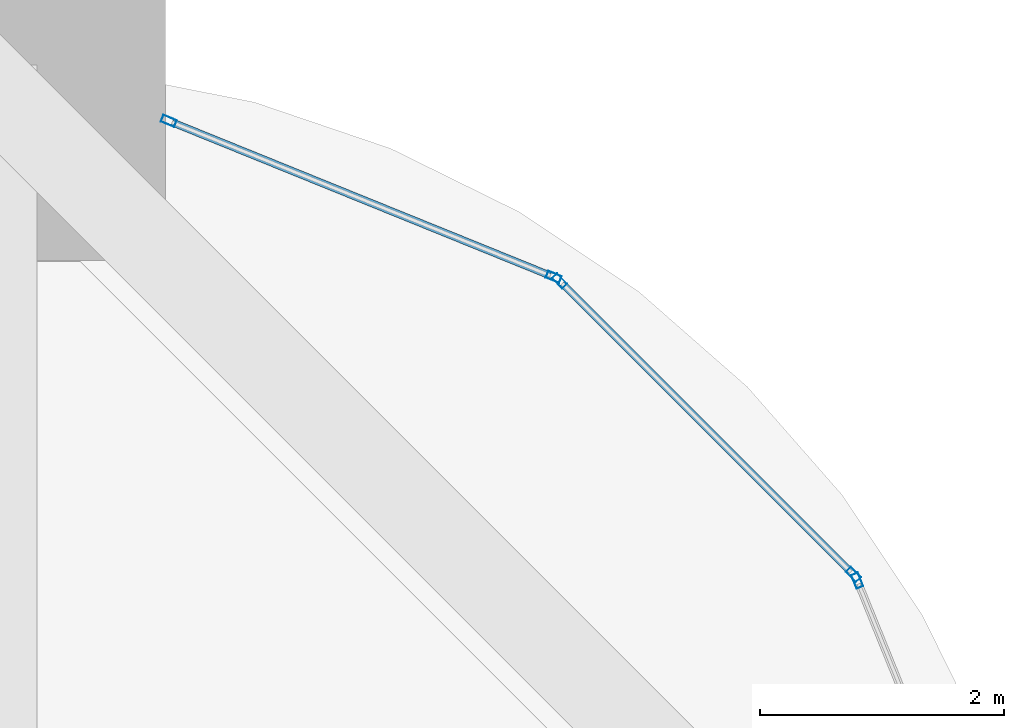
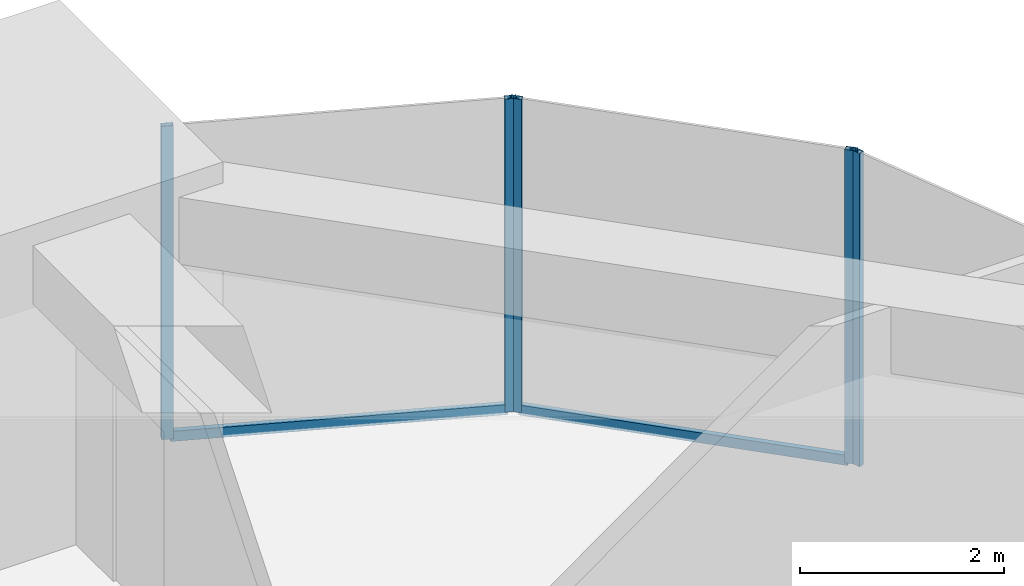
# One storey, part 33 of 40: 7 members, 3 elements without a shape of their own.
"""IFC4 building model written with IfcOpenShell, lengths in metres."""

from ifc_helpers import new_model, si_unit, direction, frame, origin, origin_2d, place, context, subcontext, project, spatial, hollow_rectangle, extrude, material, material_profile, profile_set, type_object, element, aggregate, save


model = new_model("IFC4")

# Units and contexts
model_context = context("Model", 3, precision=1e-05, world=origin(), true_north=direction((0.0, 1.0)))
body_context = subcontext(model_context, "Body", "Model", "MODEL_VIEW")
ifc_project = project(units=[si_unit("LENGTHUNIT", "METRE"), si_unit("AREAUNIT", "SQUARE_METRE"), si_unit("VOLUMEUNIT", "CUBIC_METRE"), si_unit("PLANEANGLEUNIT", "RADIAN"), si_unit("MASSUNIT", "GRAM", prefix="KILO")], contexts=[model_context])

# Site, building, storey
site_placement = place(None, origin())
site = spatial("IfcSite", under=ifc_project, at=site_placement, CompositionType="ELEMENT")
building_placement = place(site_placement, origin())
building = spatial("IfcBuilding", under=site, at=building_placement, Name="Zorevar Civic Tower", CompositionType="ELEMENT")
storey_placement = place(building_placement, frame((0.0, 0.0, 239.39990234375)))
storey = spatial("IfcBuildingStorey", under=building, at=storey_placement, Name="L58", CompositionType="ELEMENT", Elevation=239.39990234375)

# Curtain wall, member
ifc_material_1 = material(Name="Dark grey solar-control glass in black aluminium frame", Category="aluminium")
curtain_wall_type = type_object("IfcCurtainWallType", Name="Curtain wall CW5 top zone", PredefinedType="NOTDEFINED", material=ifc_material_1)
curtain_wall_1_placement = place(storey_placement, origin())
curtain_wall_1 = element("IfcCurtainWall", 1, at=curtain_wall_1_placement, inside=storey, type_object=curtain_wall_type, Name="CW5 L58", PredefinedType="NOTDEFINED")
ifc_material_2 = material(Name="Aluminium, black anodised", Category="aluminium")
ifc_material_profile_1 = material_profile(ifc_material_2, hollow_rectangle(XDim=0.06005859375, YDim=0.1201171875, WallThickness=0.0029296875, at=origin_2d()), Name="AL 120x60x3")
ifc_profile_set_1 = profile_set([ifc_material_profile_1], Name="Aluminium, black anodised")
member_type_1 = type_object("IfcMemberType", Name="CW5 mullion AL 120x60x3", PredefinedType="MULLION", material=ifc_profile_set_1)
member_1_placement = place(storey_placement, frame((52.263427734375, 40.778076171875, 0.0), z_axis=(0.0, 0.0, 1.0), x_axis=(-0.926761540227, -0.375650166453, 0.0)))
member_1 = element("IfcMember", 2, at=member_1_placement, type_object=member_type_1, Name="CW5 mullion 2", PredefinedType="MULLION", context=body_context, shape_type="SweptSolid", body=[
    extrude(hollow_rectangle(XDim=0.06005859375, YDim=0.1201171875, WallThickness=0.0029296875, at=origin_2d()), origin(), (0.0, 0.0, 1.0), 3.75),
])
aggregate(curtain_wall_1, [member_1])

# Curtain wall, members
curtain_wall_2_placement = place(storey_placement, origin())
curtain_wall_2 = element("IfcCurtainWall", 3, at=curtain_wall_2_placement, inside=storey, type_object=curtain_wall_type, Name="CW5 L58", PredefinedType="NOTDEFINED")
member_2_placement = place(storey_placement, frame((52.23095703125, 40.8271484375, 0.0), z_axis=(0.0, 0.0, 1.0), x_axis=(-0.707106781187, -0.707106781187, 0.0)))
member_2 = element("IfcMember", 4, at=member_2_placement, type_object=member_type_1, Name="CW5 mullion 1", PredefinedType="MULLION", context=body_context, shape_type="SweptSolid", body=[
    extrude(hollow_rectangle(XDim=0.06005859375, YDim=0.1201171875, WallThickness=0.0029296875, at=origin_2d()), origin(), (0.0, 0.0, 1.0), 3.75),
])
member_3_placement = place(storey_placement, frame((49.8271484375, 43.23095703125, 0.0), z_axis=(0.0, 0.0, 1.0), x_axis=(-0.707106781187, -0.707106781187, 0.0)))
member_3 = element("IfcMember", 5, at=member_3_placement, type_object=member_type_1, Name="CW5 mullion 2", PredefinedType="MULLION", context=body_context, shape_type="SweptSolid", body=[
    extrude(hollow_rectangle(XDim=0.06005859375, YDim=0.1201171875, WallThickness=0.0029296875, at=origin_2d()), origin(), (0.0, 0.0, 1.0), 3.75),
])

curtain_wall_3_placement = place(storey_placement, origin())
curtain_wall_3 = element("IfcCurtainWall", 6, at=curtain_wall_3_placement, inside=storey, type_object=curtain_wall_type, Name="CW5 L58", PredefinedType="NOTDEFINED")
member_4_placement = place(storey_placement, frame((49.778076171875, 43.263427734375, 0.0), z_axis=(0.0, 0.0, 1.0), x_axis=(-0.375650166453, -0.926761540227, 0.0)))
member_4 = element("IfcMember", 7, at=member_4_placement, type_object=member_type_1, Name="CW5 mullion 1", PredefinedType="MULLION", context=body_context, shape_type="SweptSolid", body=[
    extrude(hollow_rectangle(XDim=0.06005859375, YDim=0.1201171875, WallThickness=0.0029296875, at=origin_2d()), origin(), (0.0, 0.0, 1.0), 3.75),
])
member_5_placement = place(storey_placement, frame((46.627685546875, 44.540283203125, 0.0), z_axis=(0.0, 0.0, 1.0), x_axis=(-0.375650166453, -0.926761540227, 0.0)))
member_5 = element("IfcMember", 8, at=member_5_placement, type_object=member_type_1, Name="CW5 mullion 2", PredefinedType="MULLION", context=body_context, shape_type="SweptSolid", body=[
    extrude(hollow_rectangle(XDim=0.06005859375, YDim=0.1201171875, WallThickness=0.0029296875, at=origin_2d()), origin(), (0.0, 0.0, 1.0), 3.75),
])

# Member
ifc_material_3 = material(Name="Aluminium, black anodised", Category="aluminium")
ifc_material_profile_2 = material_profile(ifc_material_3, hollow_rectangle(XDim=0.06005859375, YDim=0.1201171875, WallThickness=0.0029296875, at=origin_2d()), Name="AL 120x60x3")
ifc_profile_set_2 = profile_set([ifc_material_profile_2], Name="Aluminium, black anodised")
member_type_2 = type_object("IfcMemberType", Name="CW5 transom AL 120x60x3", PredefinedType="USERDEFINED", material=ifc_profile_set_2)
member_6_placement = place(storey_placement, frame((52.209716796875, 40.848388671875, 0.030029296875), z_axis=(-0.707106781187, 0.707106781187, 0.0), x_axis=(-0.707106781187, -0.707106781187, 0.0)))
member_6 = element("IfcMember", 9, at=member_6_placement, type_object=member_type_2, Name="CW5 sill transom", ObjectType="TRANSOM", PredefinedType="USERDEFINED", context=body_context, shape_type="SweptSolid", body=[
    extrude(hollow_rectangle(XDim=0.06005859375, YDim=0.1201171875, WallThickness=0.0029296875, at=origin_2d()), origin(), (0.0, 0.0, 1.0), 3.33935546875),
])

aggregate(curtain_wall_2, [member_2, member_3, member_6])

member_7_placement = place(storey_placement, frame((49.750244140625, 43.274658203125, 0.030029296875), z_axis=(-0.92676265847, 0.375647407638, 0.0), x_axis=(-0.375647407638, -0.92676265847, 0.0)))
member_7 = element("IfcMember", 10, at=member_7_placement, type_object=member_type_2, Name="CW5 sill transom", ObjectType="TRANSOM", PredefinedType="USERDEFINED", context=body_context, shape_type="SweptSolid", body=[
    extrude(hollow_rectangle(XDim=0.06005859375, YDim=0.1201171875, WallThickness=0.0029296875, at=origin_2d()), origin(), (0.0, 0.0, 1.0), 3.33935546875),
])

aggregate(curtain_wall_3, [member_4, member_5, member_7])

save(model, "model.ifc")
